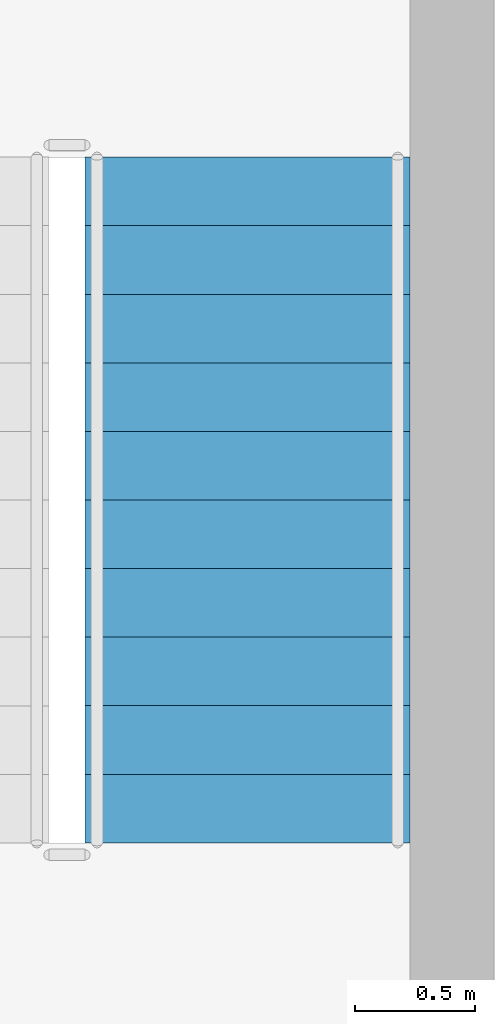
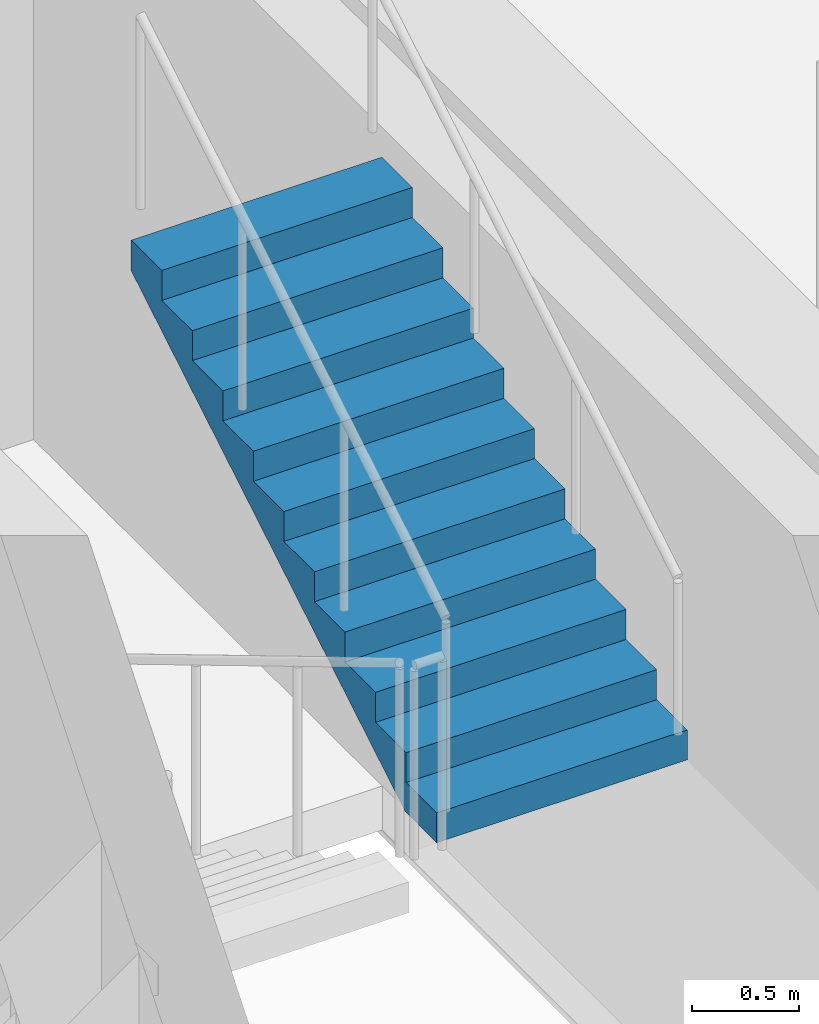
# One storey, part 9 of 11: 1 stair flight, 1 element without a shape of its own.
"""IFC4 building model written with IfcOpenShell, lengths in metres."""

from ifc_helpers import new_model, si_unit, direction, frame, origin, place, context, subcontext, project, spatial, polyline, outline, extrude, material, type_object, element, aggregate, save


model = new_model("IFC4")

# Units and contexts
model_context = context("Model", 3, precision=1e-05, world=origin(), true_north=direction((0.0, 1.0)))
body_context = subcontext(model_context, "Body", "Model", "MODEL_VIEW")
ifc_project = project(units=[si_unit("LENGTHUNIT", "METRE"), si_unit("AREAUNIT", "SQUARE_METRE"), si_unit("VOLUMEUNIT", "CUBIC_METRE"), si_unit("PLANEANGLEUNIT", "RADIAN"), si_unit("MASSUNIT", "GRAM", prefix="KILO")], contexts=[model_context])

# Site, building, storey
site_placement = place(None, origin())
site = spatial("IfcSite", under=ifc_project, at=site_placement, CompositionType="ELEMENT")
building_placement = place(site_placement, origin())
building = spatial("IfcBuilding", under=site, at=building_placement, Name="Almagre Mirador Tower", CompositionType="ELEMENT")
storey_placement = place(building_placement, frame((0.0, 0.0, 218.25)))
storey = spatial("IfcBuildingStorey", under=building, at=storey_placement, Name="L56", CompositionType="ELEMENT", Elevation=218.25)

# Stair, stair flight
ifc_material_1 = material(Name="Concrete C45/55", Category="concrete")
stair_type = type_object("IfcStairType", Name="STR-DL-3750", PredefinedType="HALF_TURN_STAIR", material=ifc_material_1)
stair_placement = place(storey_placement, origin())
stair = element("IfcStair", 1, at=stair_placement, inside=storey, type_object=stair_type, Name="L56 Protected exit stair ST-3", PredefinedType="HALF_TURN_STAIR")
ifc_material_2 = material(Name="Concrete C45/55", Category="concrete")
stair_flight_type = type_object("IfcStairFlightType", Name="FLT-DL-3750", PredefinedType="STRAIGHT", material=ifc_material_2)
stair_flight_placement = place(storey_placement, frame((45.64990234375, 8.35009765625, 1.875), z_axis=(0.0, 0.0, 1.0), x_axis=(0.0, 1.0, 0.0)))
stair_flight = element("IfcStairFlight", 2, at=stair_flight_placement, type_object=stair_flight_type, Name="ST-3 flight 2", NumberOfRisers=11, NumberOfTreads=10, PredefinedType="STRAIGHT", RiserHeight=0.170454545, TreadLength=0.285, context=body_context, shape_type="SweptSolid", body=[
    extrude(outline(polyline([(0.0, 0.0), (0.0, 0.17041015625), (0.284912109375, 0.17041015625), (0.284912109375, 0.3408203125), (0.570068359375, 0.3408203125), (0.570068359375, 0.511474609375), (0.85498046875, 0.511474609375), (0.85498046875, 0.681884765625), (1.139892578125, 0.681884765625), (1.139892578125, 0.852294921875), (1.425048828125, 0.852294921875), (1.425048828125, 1.022705078125), (1.7099609375, 1.022705078125), (1.7099609375, 1.193115234375), (1.9951171875, 1.193115234375), (1.9951171875, 1.363525390625), (2.280029296875, 1.363525390625), (2.280029296875, 1.5341796875), (2.56494140625, 1.5341796875), (2.56494140625, 1.70458984375), (2.85009765625, 1.70458984375), (2.85009765625, 1.875), (2.85009765625, 1.52978515625), (0.2919921875, 0.0), (0.0, 0.0)])), frame((0.0, 0.675048828125, 0.0), z_axis=(0.0, -1.0, 0.0), x_axis=(1.0, 0.0, 0.0)), (0.0, 0.0, 1.0), 1.35009765625),
])
aggregate(stair, [stair_flight])

save(model, "model.ifc")
